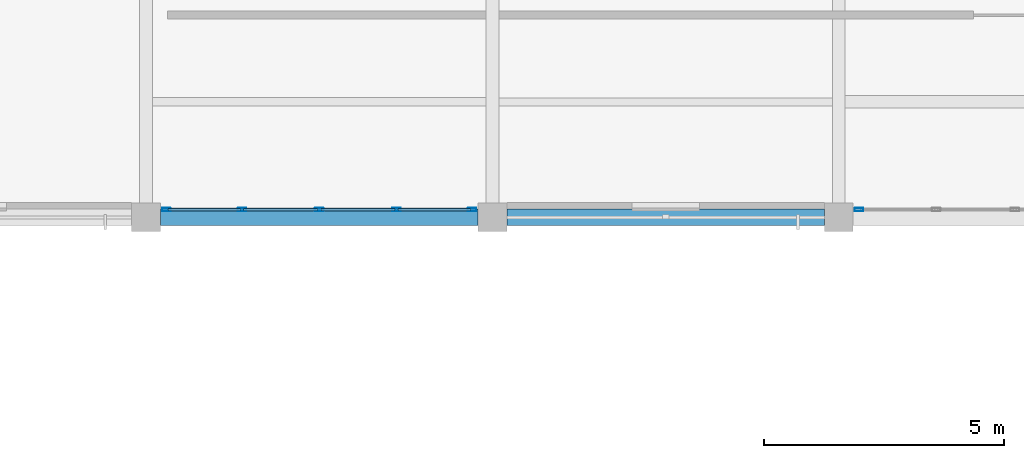
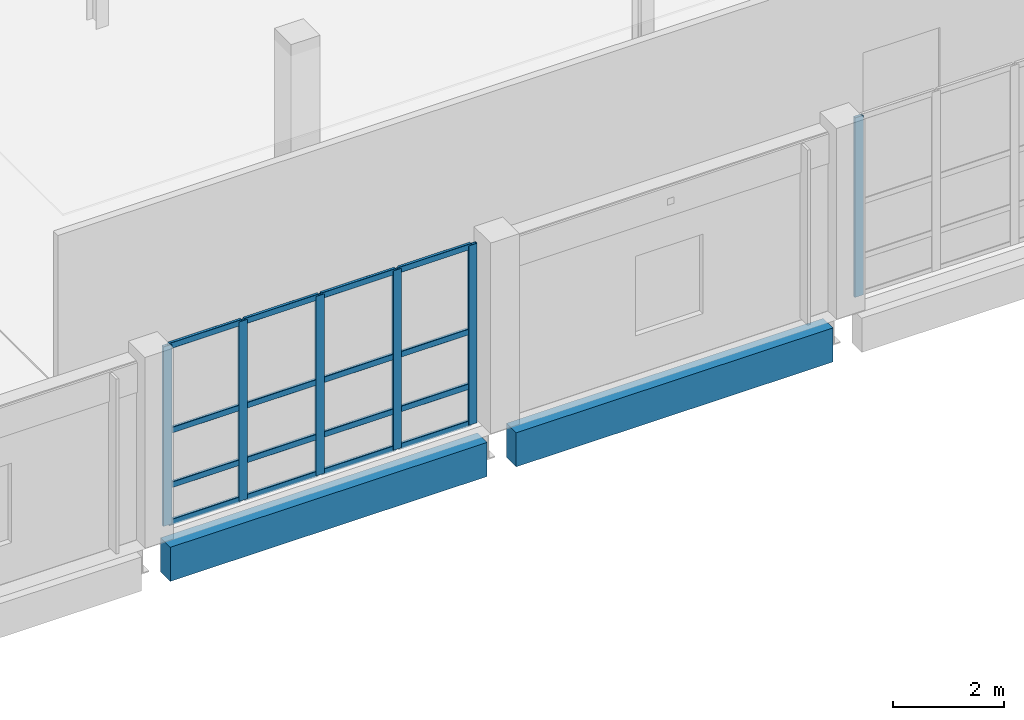
# One storey, part 46 of 94: 22 members, 2 beams, 2 elements without a shape of their own.
"""IFC4 building model written with IfcOpenShell, lengths in metres."""

from ifc_helpers import new_model, si_unit, direction, frame, origin, origin_2d, place, context, subcontext, project, spatial, rectangle, hollow_rectangle, extrude, material, material_profile, profile_set, type_object, element, aggregate, save


model = new_model("IFC4")

# Units and contexts
model_context = context("Model", 3, precision=1e-05, world=origin(), true_north=direction((0.0, 1.0)))
body_context = subcontext(model_context, "Body", "Model", "MODEL_VIEW")
ifc_project = project(units=[si_unit("LENGTHUNIT", "METRE"), si_unit("AREAUNIT", "SQUARE_METRE"), si_unit("VOLUMEUNIT", "CUBIC_METRE"), si_unit("PLANEANGLEUNIT", "RADIAN"), si_unit("MASSUNIT", "GRAM", prefix="KILO")], contexts=[model_context])

# Site, building, storey
site_placement = place(None, origin())
site = spatial("IfcSite", under=ifc_project, at=site_placement, CompositionType="ELEMENT")
building_placement = place(site_placement, origin())
building = spatial("IfcBuilding", under=site, at=building_placement, Name="Kalmorath City Hall", CompositionType="ELEMENT")
storey_placement = place(building_placement, frame((0.0, 0.0, 14.699951171875)))
storey = spatial("IfcBuildingStorey", under=building, at=storey_placement, Name="L03", CompositionType="ELEMENT", Elevation=14.699951171875)

# Curtain wall, member
ifc_material_1 = material(Name="Anodised aluminium and laminated glass", Category="aluminium")
curtain_wall_type_1 = type_object("IfcCurtainWallType", Name="Unitised hurricane curtain wall 6544x3950 M1750", PredefinedType="NOTDEFINED", material=ifc_material_1)
curtain_wall_1_placement = place(storey_placement, origin())
curtain_wall_1 = element("IfcCurtainWall", 1, at=curtain_wall_1_placement, inside=storey, type_object=curtain_wall_type_1, Name="L03 curtain wall CW-65X40M18 #147", PredefinedType="NOTDEFINED")
ifc_material_2 = material(Name="Anodised aluminium framing", Category="aluminium")
ifc_material_profile_1 = material_profile(ifc_material_2, hollow_rectangle(XDim=0.06494140625, YDim=0.179931640625, WallThickness=0.00390625, InnerFilletRadius=0.00390625, OuterFilletRadius=0.008056640625, at=origin_2d()), Name="ALU-MUL-180X65X4")
ifc_profile_set_1 = profile_set([ifc_material_profile_1], Name="Anodised aluminium framing")
member_type_1 = type_object("IfcMemberType", Name="Curtain-wall courtyard mullion 180x65", PredefinedType="MULLION", material=ifc_profile_set_1)
member_1_placement = place(storey_placement, frame((79.62255859375, 93.760009765625, 0.0), z_axis=(0.0, 0.0, 1.0), x_axis=(0.0, -1.0, 0.0)))
member_1 = element("IfcMember", 2, at=member_1_placement, type_object=member_type_1, Name="CW-65X40M18 mullion 5", PredefinedType="MULLION", context=body_context, shape_type="SweptSolid", body=[
    extrude(hollow_rectangle(XDim=0.06494140625, YDim=0.179931640625, WallThickness=0.00390625, InnerFilletRadius=0.00390625, OuterFilletRadius=0.008056640625, at=origin_2d()), origin(), (0.0, 0.0, 1.0), 3.949951171875),
])
aggregate(curtain_wall_1, [member_1])

# Curtain wall, members
ifc_material_3 = material(Name="Anodised aluminium and laminated glass", Category="aluminium")
curtain_wall_type_2 = type_object("IfcCurtainWallType", Name="Unitised hurricane curtain wall 6420x3950 M1750", PredefinedType="NOTDEFINED", material=ifc_material_3)
curtain_wall_2_placement = place(storey_placement, origin())
curtain_wall_2 = element("IfcCurtainWall", 3, at=curtain_wall_2_placement, inside=storey, type_object=curtain_wall_type_2, Name="L03 curtain wall CW-64X40M18 #148", PredefinedType="NOTDEFINED")
member_2_placement = place(storey_placement, frame((71.577392578125, 93.760009765625, 0.0), z_axis=(0.0, 0.0, 1.0), x_axis=(0.0, -1.0, 0.0)))
member_2 = element("IfcMember", 4, at=member_2_placement, type_object=member_type_1, Name="CW-64X40M18 mullion 1", PredefinedType="MULLION", context=body_context, shape_type="SweptSolid", body=[
    extrude(hollow_rectangle(XDim=0.06494140625, YDim=0.179931640625, WallThickness=0.00390625, InnerFilletRadius=0.00390625, OuterFilletRadius=0.008056640625, at=origin_2d()), origin(), (0.0, 0.0, 1.0), 3.949951171875),
])
member_3_placement = place(storey_placement, frame((70.0048828125, 93.760009765625, 0.0), z_axis=(0.0, 0.0, 1.0), x_axis=(0.0, -1.0, 0.0)))
member_3 = element("IfcMember", 5, at=member_3_placement, type_object=member_type_1, Name="CW-64X40M18 mullion 2", PredefinedType="MULLION", context=body_context, shape_type="SweptSolid", body=[
    extrude(hollow_rectangle(XDim=0.06494140625, YDim=0.179931640625, WallThickness=0.00390625, InnerFilletRadius=0.00390625, OuterFilletRadius=0.008056640625, at=origin_2d()), origin(), (0.0, 0.0, 1.0), 3.949951171875),
])
member_4_placement = place(storey_placement, frame((68.39990234375, 93.760009765625, 0.0), z_axis=(0.0, 0.0, 1.0), x_axis=(0.0, -1.0, 0.0)))
member_4 = element("IfcMember", 6, at=member_4_placement, type_object=member_type_1, Name="CW-64X40M18 mullion 3", PredefinedType="MULLION", context=body_context, shape_type="SweptSolid", body=[
    extrude(hollow_rectangle(XDim=0.06494140625, YDim=0.179931640625, WallThickness=0.00390625, InnerFilletRadius=0.00390625, OuterFilletRadius=0.008056640625, at=origin_2d()), origin(), (0.0, 0.0, 1.0), 3.949951171875),
])
member_5_placement = place(storey_placement, frame((66.794921875, 93.760009765625, 0.0), z_axis=(0.0, 0.0, 1.0), x_axis=(0.0, -1.0, 0.0)))
member_5 = element("IfcMember", 7, at=member_5_placement, type_object=member_type_1, Name="CW-64X40M18 mullion 4", PredefinedType="MULLION", context=body_context, shape_type="SweptSolid", body=[
    extrude(hollow_rectangle(XDim=0.06494140625, YDim=0.179931640625, WallThickness=0.00390625, InnerFilletRadius=0.00390625, OuterFilletRadius=0.008056640625, at=origin_2d()), origin(), (0.0, 0.0, 1.0), 3.949951171875),
])
member_6_placement = place(storey_placement, frame((65.222412109375, 93.760009765625, 0.0), z_axis=(0.0, 0.0, 1.0), x_axis=(0.0, -1.0, 0.0)))
member_6 = element("IfcMember", 8, at=member_6_placement, type_object=member_type_1, Name="CW-64X40M18 mullion 5", PredefinedType="MULLION", context=body_context, shape_type="SweptSolid", body=[
    extrude(hollow_rectangle(XDim=0.06494140625, YDim=0.179931640625, WallThickness=0.00390625, InnerFilletRadius=0.00390625, OuterFilletRadius=0.008056640625, at=origin_2d()), origin(), (0.0, 0.0, 1.0), 3.949951171875),
])
ifc_material_4 = material(Name="Anodised aluminium framing", Category="aluminium")
ifc_material_profile_2 = material_profile(ifc_material_4, hollow_rectangle(XDim=0.06005859375, YDim=0.1298828125, WallThickness=0.00341796875, InnerFilletRadius=0.00341796875, OuterFilletRadius=0.007080078125, at=origin_2d()), Name="ALU-TRN-130X60X3.5")
ifc_profile_set_2 = profile_set([ifc_material_profile_2], Name="Anodised aluminium framing")
member_type_2 = type_object("IfcMemberType", Name="Curtain-wall courtyard transom 130x60", PredefinedType="USERDEFINED", material=ifc_profile_set_2)
member_7_placement = place(storey_placement, frame((71.544921875, 93.760009765625, 0.030029296875), z_axis=(-1.0, 0.0, 0.0), x_axis=(0.0, -1.0, 0.0)))
member_7 = element("IfcMember", 9, at=member_7_placement, type_object=member_type_2, Name="CW-64X40M18 transom 1.1", ObjectType="TRANSOM", PredefinedType="USERDEFINED", context=body_context, shape_type="SweptSolid", body=[
    extrude(hollow_rectangle(XDim=0.06005859375, YDim=0.1298828125, WallThickness=0.00341796875, InnerFilletRadius=0.00341796875, OuterFilletRadius=0.007080078125, at=origin_2d()), origin(), (0.0, 0.0, 1.0), 1.50732421875),
])
member_8_placement = place(storey_placement, frame((71.544921875, 93.760009765625, 0.85009765625), z_axis=(-1.0, 0.0, 0.0), x_axis=(0.0, -1.0, 0.0)))
member_8 = element("IfcMember", 10, at=member_8_placement, type_object=member_type_2, Name="CW-64X40M18 transom 1.2", ObjectType="TRANSOM", PredefinedType="USERDEFINED", context=body_context, shape_type="SweptSolid", body=[
    extrude(hollow_rectangle(XDim=0.06005859375, YDim=0.1298828125, WallThickness=0.00341796875, InnerFilletRadius=0.00341796875, OuterFilletRadius=0.007080078125, at=origin_2d()), origin(), (0.0, 0.0, 1.0), 1.50732421875),
])
member_9_placement = place(storey_placement, frame((71.544921875, 93.760009765625, 2.053955078125), z_axis=(-1.0, 0.0, 0.0), x_axis=(0.0, -1.0, 0.0)))
member_9 = element("IfcMember", 11, at=member_9_placement, type_object=member_type_2, Name="CW-64X40M18 transom 1.3", ObjectType="TRANSOM", PredefinedType="USERDEFINED", context=body_context, shape_type="SweptSolid", body=[
    extrude(hollow_rectangle(XDim=0.06005859375, YDim=0.1298828125, WallThickness=0.00341796875, InnerFilletRadius=0.00341796875, OuterFilletRadius=0.007080078125, at=origin_2d()), origin(), (0.0, 0.0, 1.0), 1.50732421875),
])
member_10_placement = place(storey_placement, frame((71.544921875, 93.760009765625, 3.920166015625), z_axis=(-1.0, 0.0, 0.0), x_axis=(0.0, -1.0, 0.0)))
member_10 = element("IfcMember", 12, at=member_10_placement, type_object=member_type_2, Name="CW-64X40M18 transom 1.4", ObjectType="TRANSOM", PredefinedType="USERDEFINED", context=body_context, shape_type="SweptSolid", body=[
    extrude(hollow_rectangle(XDim=0.06005859375, YDim=0.1298828125, WallThickness=0.00341796875, InnerFilletRadius=0.00341796875, OuterFilletRadius=0.007080078125, at=origin_2d()), origin(), (0.0, 0.0, 1.0), 1.50732421875),
])
member_11_placement = place(storey_placement, frame((69.972412109375, 93.760009765625, 0.030029296875), z_axis=(-1.0, 0.0, 0.0), x_axis=(0.0, -1.0, 0.0)))
member_11 = element("IfcMember", 13, at=member_11_placement, type_object=member_type_2, Name="CW-64X40M18 transom 2.1", ObjectType="TRANSOM", PredefinedType="USERDEFINED", context=body_context, shape_type="SweptSolid", body=[
    extrude(hollow_rectangle(XDim=0.06005859375, YDim=0.1298828125, WallThickness=0.00341796875, InnerFilletRadius=0.00341796875, OuterFilletRadius=0.007080078125, at=origin_2d()), origin(), (0.0, 0.0, 1.0), 1.539794921875),
])
member_12_placement = place(storey_placement, frame((69.972412109375, 93.760009765625, 0.85009765625), z_axis=(-1.0, 0.0, 0.0), x_axis=(0.0, -1.0, 0.0)))
member_12 = element("IfcMember", 14, at=member_12_placement, type_object=member_type_2, Name="CW-64X40M18 transom 2.2", ObjectType="TRANSOM", PredefinedType="USERDEFINED", context=body_context, shape_type="SweptSolid", body=[
    extrude(hollow_rectangle(XDim=0.06005859375, YDim=0.1298828125, WallThickness=0.00341796875, InnerFilletRadius=0.00341796875, OuterFilletRadius=0.007080078125, at=origin_2d()), origin(), (0.0, 0.0, 1.0), 1.539794921875),
])
member_13_placement = place(storey_placement, frame((69.972412109375, 93.760009765625, 2.053955078125), z_axis=(-1.0, 0.0, 0.0), x_axis=(0.0, -1.0, 0.0)))
member_13 = element("IfcMember", 15, at=member_13_placement, type_object=member_type_2, Name="CW-64X40M18 transom 2.3", ObjectType="TRANSOM", PredefinedType="USERDEFINED", context=body_context, shape_type="SweptSolid", body=[
    extrude(hollow_rectangle(XDim=0.06005859375, YDim=0.1298828125, WallThickness=0.00341796875, InnerFilletRadius=0.00341796875, OuterFilletRadius=0.007080078125, at=origin_2d()), origin(), (0.0, 0.0, 1.0), 1.539794921875),
])
member_14_placement = place(storey_placement, frame((69.972412109375, 93.760009765625, 3.920166015625), z_axis=(-1.0, 0.0, 0.0), x_axis=(0.0, -1.0, 0.0)))
member_14 = element("IfcMember", 16, at=member_14_placement, type_object=member_type_2, Name="CW-64X40M18 transom 2.4", ObjectType="TRANSOM", PredefinedType="USERDEFINED", context=body_context, shape_type="SweptSolid", body=[
    extrude(hollow_rectangle(XDim=0.06005859375, YDim=0.1298828125, WallThickness=0.00341796875, InnerFilletRadius=0.00341796875, OuterFilletRadius=0.007080078125, at=origin_2d()), origin(), (0.0, 0.0, 1.0), 1.539794921875),
])
member_15_placement = place(storey_placement, frame((68.367431640625, 93.760009765625, 0.030029296875), z_axis=(-1.0, 0.0, 0.0), x_axis=(0.0, -1.0, 0.0)))
member_15 = element("IfcMember", 17, at=member_15_placement, type_object=member_type_2, Name="CW-64X40M18 transom 3.1", ObjectType="TRANSOM", PredefinedType="USERDEFINED", context=body_context, shape_type="SweptSolid", body=[
    extrude(hollow_rectangle(XDim=0.06005859375, YDim=0.1298828125, WallThickness=0.00341796875, InnerFilletRadius=0.00341796875, OuterFilletRadius=0.007080078125, at=origin_2d()), origin(), (0.0, 0.0, 1.0), 1.5400390625),
])
member_16_placement = place(storey_placement, frame((68.367431640625, 93.760009765625, 0.85009765625), z_axis=(-1.0, 0.0, 0.0), x_axis=(0.0, -1.0, 0.0)))
member_16 = element("IfcMember", 18, at=member_16_placement, type_object=member_type_2, Name="CW-64X40M18 transom 3.2", ObjectType="TRANSOM", PredefinedType="USERDEFINED", context=body_context, shape_type="SweptSolid", body=[
    extrude(hollow_rectangle(XDim=0.06005859375, YDim=0.1298828125, WallThickness=0.00341796875, InnerFilletRadius=0.00341796875, OuterFilletRadius=0.007080078125, at=origin_2d()), origin(), (0.0, 0.0, 1.0), 1.5400390625),
])
member_17_placement = place(storey_placement, frame((68.367431640625, 93.760009765625, 2.053955078125), z_axis=(-1.0, 0.0, 0.0), x_axis=(0.0, -1.0, 0.0)))
member_17 = element("IfcMember", 19, at=member_17_placement, type_object=member_type_2, Name="CW-64X40M18 transom 3.3", ObjectType="TRANSOM", PredefinedType="USERDEFINED", context=body_context, shape_type="SweptSolid", body=[
    extrude(hollow_rectangle(XDim=0.06005859375, YDim=0.1298828125, WallThickness=0.00341796875, InnerFilletRadius=0.00341796875, OuterFilletRadius=0.007080078125, at=origin_2d()), origin(), (0.0, 0.0, 1.0), 1.5400390625),
])
member_18_placement = place(storey_placement, frame((68.367431640625, 93.760009765625, 3.920166015625), z_axis=(-1.0, 0.0, 0.0), x_axis=(0.0, -1.0, 0.0)))
member_18 = element("IfcMember", 20, at=member_18_placement, type_object=member_type_2, Name="CW-64X40M18 transom 3.4", ObjectType="TRANSOM", PredefinedType="USERDEFINED", context=body_context, shape_type="SweptSolid", body=[
    extrude(hollow_rectangle(XDim=0.06005859375, YDim=0.1298828125, WallThickness=0.00341796875, InnerFilletRadius=0.00341796875, OuterFilletRadius=0.007080078125, at=origin_2d()), origin(), (0.0, 0.0, 1.0), 1.5400390625),
])
member_19_placement = place(storey_placement, frame((66.762451171875, 93.760009765625, 0.030029296875), z_axis=(-1.0, 0.0, 0.0), x_axis=(0.0, -1.0, 0.0)))
member_19 = element("IfcMember", 21, at=member_19_placement, type_object=member_type_2, Name="CW-64X40M18 transom 4.1", ObjectType="TRANSOM", PredefinedType="USERDEFINED", context=body_context, shape_type="SweptSolid", body=[
    extrude(hollow_rectangle(XDim=0.06005859375, YDim=0.1298828125, WallThickness=0.00341796875, InnerFilletRadius=0.00341796875, OuterFilletRadius=0.007080078125, at=origin_2d()), origin(), (0.0, 0.0, 1.0), 1.507568359375),
])
member_20_placement = place(storey_placement, frame((66.762451171875, 93.760009765625, 0.85009765625), z_axis=(-1.0, 0.0, 0.0), x_axis=(0.0, -1.0, 0.0)))
member_20 = element("IfcMember", 22, at=member_20_placement, type_object=member_type_2, Name="CW-64X40M18 transom 4.2", ObjectType="TRANSOM", PredefinedType="USERDEFINED", context=body_context, shape_type="SweptSolid", body=[
    extrude(hollow_rectangle(XDim=0.06005859375, YDim=0.1298828125, WallThickness=0.00341796875, InnerFilletRadius=0.00341796875, OuterFilletRadius=0.007080078125, at=origin_2d()), origin(), (0.0, 0.0, 1.0), 1.507568359375),
])
member_21_placement = place(storey_placement, frame((66.762451171875, 93.760009765625, 2.053955078125), z_axis=(-1.0, 0.0, 0.0), x_axis=(0.0, -1.0, 0.0)))
member_21 = element("IfcMember", 23, at=member_21_placement, type_object=member_type_2, Name="CW-64X40M18 transom 4.3", ObjectType="TRANSOM", PredefinedType="USERDEFINED", context=body_context, shape_type="SweptSolid", body=[
    extrude(hollow_rectangle(XDim=0.06005859375, YDim=0.1298828125, WallThickness=0.00341796875, InnerFilletRadius=0.00341796875, OuterFilletRadius=0.007080078125, at=origin_2d()), origin(), (0.0, 0.0, 1.0), 1.507568359375),
])
member_22_placement = place(storey_placement, frame((66.762451171875, 93.760009765625, 3.920166015625), z_axis=(-1.0, 0.0, 0.0), x_axis=(0.0, -1.0, 0.0)))
member_22 = element("IfcMember", 24, at=member_22_placement, type_object=member_type_2, Name="CW-64X40M18 transom 4.4", ObjectType="TRANSOM", PredefinedType="USERDEFINED", context=body_context, shape_type="SweptSolid", body=[
    extrude(hollow_rectangle(XDim=0.06005859375, YDim=0.1298828125, WallThickness=0.00341796875, InnerFilletRadius=0.00341796875, OuterFilletRadius=0.007080078125, at=origin_2d()), origin(), (0.0, 0.0, 1.0), 1.507568359375),
])
aggregate(curtain_wall_2, [member_2, member_3, member_4, member_5, member_6, member_7, member_8, member_9, member_10, member_11, member_12, member_13, member_14, member_15, member_16, member_17, member_18, member_19, member_20, member_21, member_22])

# Beams
ifc_material_5 = material(Name="Precast concrete C40/50", Category="concrete")
ifc_material_profile_3 = material_profile(ifc_material_5, rectangle(XDim=0.35009765625, YDim=0.75, at=origin_2d()), Name="PC-SP-350X750")
ifc_profile_set_3 = profile_set([ifc_material_profile_3], Name="Precast concrete C40/50")
beam_type = type_object("IfcBeamType", Name="Precast spandrel lintel 350x750", PredefinedType="LINTEL", material=ifc_profile_set_3)
for number, where, z_axis, x_axis, name in (
    (25, (65.10009765625, 93.60009765625, -0.638916015625), (1.0, 0.0, 0.0), (0.0, 1.0, 0.0), "L03 girder PSB1 X10-11/14"),
    (26, (72.300048828125, 93.60009765625, -0.638916015625), (1.0, 0.0, 0.0), (0.0, 1.0, 0.0), "L03 girder PSB1 X11-12/14"),
):
    element("IfcBeam", number, at=place(storey_placement, frame(where, z_axis=z_axis, x_axis=x_axis)), inside=storey, type_object=beam_type, Name=name, PredefinedType="LINTEL", context=body_context, shape_type="SweptSolid", body=[
        extrude(rectangle(XDim=0.35009765625, YDim=0.75, at=origin_2d()), origin(), (0.0, 0.0, 1.0), 6.599853515625),
    ])

save(model, "model.ifc")
